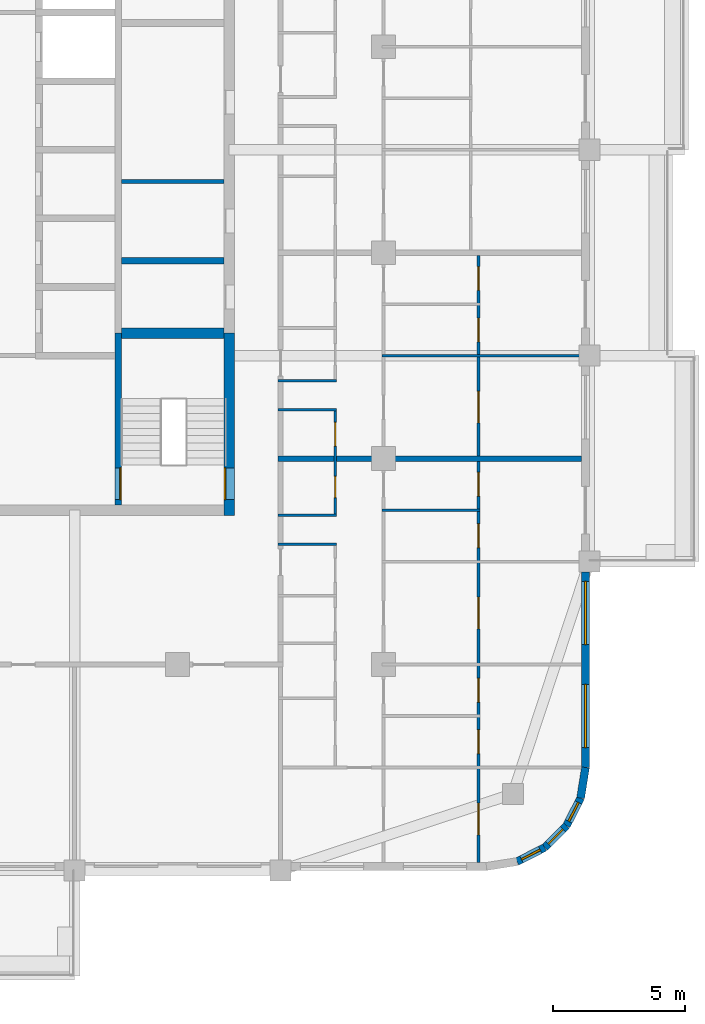
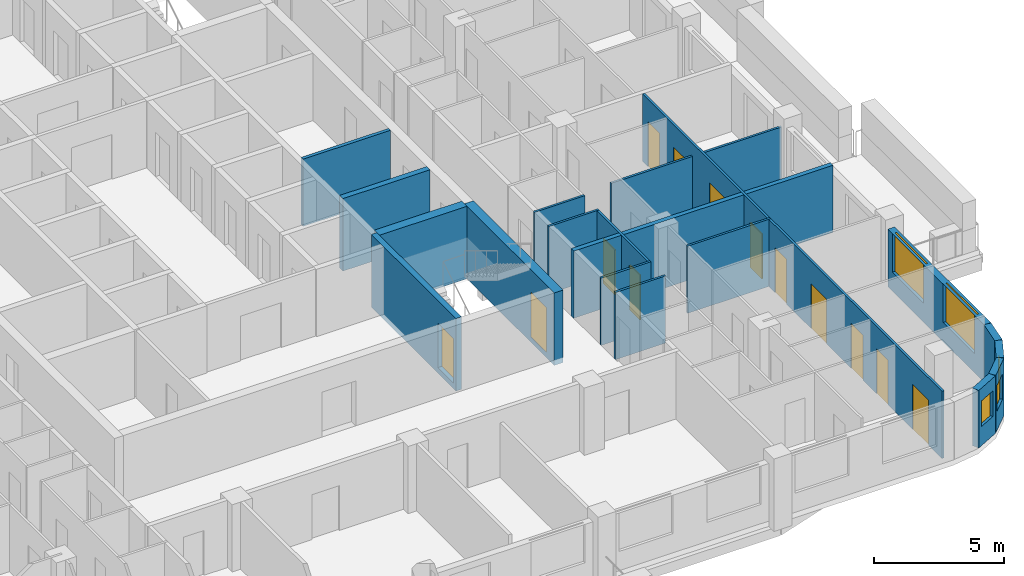
# One storey, part 6 of 16: 19 walls, 13 doors, 5 windows, 18 openings.
"""IFC4 building model written with IfcOpenShell, lengths in metres."""

from ifc_helpers import new_model, si_unit, direction, frame, frame_2d, origin, place, context, subcontext, project, spatial, rectangle, extrude, material, layer, layer_set, type_object, element, fill, save


model = new_model("IFC4")

# Units and contexts
model_context = context("Model", 3, precision=1e-05, world=origin(), true_north=direction((0.0, 1.0)))
body_context = subcontext(model_context, "Body", "Model", "MODEL_VIEW")
ifc_project = project(units=[si_unit("LENGTHUNIT", "METRE"), si_unit("AREAUNIT", "SQUARE_METRE"), si_unit("VOLUMEUNIT", "CUBIC_METRE"), si_unit("PLANEANGLEUNIT", "RADIAN"), si_unit("MASSUNIT", "GRAM", prefix="KILO")], contexts=[model_context])

# Site, building, storey
site_placement = place(None, origin())
site = spatial("IfcSite", under=ifc_project, at=site_placement, CompositionType="ELEMENT")
building_placement = place(site_placement, origin())
building = spatial("IfcBuilding", under=site, at=building_placement, Name="Ludao Terraces", CompositionType="ELEMENT")
storey_placement = place(building_placement, frame((0.0, 0.0, 214.300048828125)))
storey = spatial("IfcBuildingStorey", under=building, at=storey_placement, Name="L58", CompositionType="ELEMENT", Elevation=214.300048828125)

# Wall, opening, door
ifc_material_1 = material(Name="Concrete C50", Category="concrete")
ifc_layer_1 = layer(ifc_material_1, 0.39990234375)
ifc_layer_set_1 = layer_set([ifc_layer_1], Name="Core wall 400 C50")
wall_type_1 = type_object("IfcWallType", Name="Core wall 400 C50", PredefinedType="SOLIDWALL", material=ifc_layer_set_1)
wall_1_placement = place(storey_placement, frame((94.75, 55.050048828125, -0.25), z_axis=(0.0, 0.0, 1.0), x_axis=(0.0, 1.0, 0.0)))
wall_1 = element("IfcWall", 1, at=wall_1_placement, inside=storey, type_object=wall_type_1, Name="Core wall L58 outer-E-S3", PredefinedType="SOLIDWALL", context=body_context, shape_type="SweptSolid", body=[
    extrude(rectangle(XDim=6.89990234375, YDim=0.39990234375, at=frame_2d((3.449951171875, 0.0))), origin(), (0.0, 0.0, 1.0), 3.39990234375),
])
opening_1_placement = place(wall_1_placement, frame((0.60009765625, 0.0, 0.25)))
opening_1 = element("IfcOpeningElement", 2, at=opening_1_placement, cuts=wall_1, Name="Opening R21-039", PredefinedType="OPENING", context=body_context, shape_type="SweptSolid", body=[
    extrude(rectangle(XDim=1.199951171875, YDim=2.10009765625, at=frame_2d((0.60009765625, 1.050048828125))), frame((0.0, 0.2099609375, 0.0), z_axis=(0.0, -1.0, 0.0), x_axis=(1.0, 0.0, 0.0)), (0.0, 0.0, 1.0), 0.419921875),
])
ifc_material_2 = material(Name="Steel Q235", Category="steel")
door_type_1 = type_object("IfcDoorType", Name="INT Stair door 1200", OperationType="DOUBLE_DOOR_SINGLE_SWING", PredefinedType="DOOR", material=ifc_material_2)
door_1_placement = place(opening_1_placement, origin())
door_1 = element("IfcDoor", 3, at=door_1_placement, inside=storey, type_object=door_type_1, Name="DOOR 039", OperationType="DOUBLE_DOOR_SINGLE_SWING", OverallHeight=2.10009765625, OverallWidth=1.199951171875, PredefinedType="DOOR", context=body_context, shape_type="SweptSolid", body=[
    extrude(rectangle(XDim=1.199951171875, YDim=2.10009765625, at=frame_2d((0.60009765625, 1.050048828125))), frame((0.0, 0.18505859375, 0.0), z_axis=(0.0, -1.0, 0.0), x_axis=(1.0, 0.0, 0.0)), (0.0, 0.0, 1.0), 0.050048828125),
])
fill(opening_1, door_1)

# Wall, openings, windows
ifc_material_3 = material(Name="Granite cladding", Category="masonry")
ifc_layer_2 = layer(ifc_material_3, 0.0400390625, Category="stone")
ifc_material_4 = material(Name="Mineral wool")
ifc_layer_3 = layer(ifc_material_4, 0.06005859375)
ifc_material_5 = material(Name="Concrete C40", Category="concrete")
ifc_layer_4 = layer(ifc_material_5, 0.199951171875, Category="concrete")
ifc_layer_set_2 = layer_set([ifc_layer_2, ifc_layer_3, ifc_layer_4], Name="ENV Stone-clad wall 300")
wall_type_2 = type_object("IfcWallType", Name="ENV Stone-clad wall 300", PredefinedType="SOLIDWALL", material=ifc_layer_set_2)
wall_2_placement = place(storey_placement, frame((108.25, 45.5, 0.0), z_axis=(0.0, 0.0, 1.0), x_axis=(0.0, 1.0, 0.0)))
wall_2 = element("IfcWall", 4, at=wall_2_placement, inside=storey, type_object=wall_type_2, Name="EW-L58-E1", PredefinedType="SOLIDWALL", context=body_context, shape_type="SweptSolid", body=[
    extrude(rectangle(XDim=7.39990234375, YDim=0.300048828125, at=frame_2d((3.699951171875, 0.0))), origin(), (0.0, 0.0, 1.0), 2.699951171875),
])
opening_2_placement = place(wall_2_placement, frame((0.75, 0.0, 0.89990234375)))
opening_2 = element("IfcOpeningElement", 5, at=opening_2_placement, cuts=wall_2, Name="Opening W1", PredefinedType="OPENING", context=body_context, shape_type="SweptSolid", body=[
    extrude(rectangle(XDim=2.39990234375, YDim=1.800048828125, at=frame_2d((1.199951171875, 0.89990234375))), frame((0.0, 0.16015625, 0.0), z_axis=(0.0, -1.0, 0.0), x_axis=(1.0, 0.0, 0.0)), (0.0, 0.0, 1.0), 0.320068359375),
])
opening_3_placement = place(wall_2_placement, frame((4.64990234375, 0.0, 0.89990234375)))
opening_3 = element("IfcOpeningElement", 6, at=opening_3_placement, cuts=wall_2, Name="Opening W1", PredefinedType="OPENING", context=body_context, shape_type="SweptSolid", body=[
    extrude(rectangle(XDim=2.39990234375, YDim=1.800048828125, at=frame_2d((1.199951171875, 0.89990234375))), frame((0.0, 0.16015625, 0.0), z_axis=(0.0, -1.0, 0.0), x_axis=(1.0, 0.0, 0.0)), (0.0, 0.0, 1.0), 0.320068359375),
])
ifc_material_6 = material(Name="Clear glass in aluminium frame", Category="aluminium")
ifc_layer_5 = layer(ifc_material_6, 0.06005859375)
ifc_layer_set_3 = layer_set([ifc_layer_5], Name="ENV Window W1 2400x1800")
window_type_1 = type_object("IfcWindowType", Name="ENV Window W1 2400x1800", PartitioningType="DOUBLE_PANEL_VERTICAL", PredefinedType="WINDOW", material=ifc_layer_set_3)
window_1_placement = place(opening_2_placement, origin())
window_1 = element("IfcWindow", 7, at=window_1_placement, inside=storey, type_object=window_type_1, Name="W-L58-E1-1", OverallHeight=1.800048828125, OverallWidth=2.39990234375, PartitioningType="DOUBLE_PANEL_VERTICAL", PredefinedType="WINDOW", context=body_context, shape_type="SweptSolid", body=[
    extrude(rectangle(XDim=2.39990234375, YDim=1.800048828125, at=frame_2d((1.199951171875, 0.89990234375))), frame((0.0, 0.030029296875, 0.0), z_axis=(0.0, -1.0, 0.0), x_axis=(1.0, 0.0, 0.0)), (0.0, 0.0, 1.0), 0.06005859375),
])
fill(opening_2, window_1)
window_2_placement = place(opening_3_placement, origin())
window_2 = element("IfcWindow", 8, at=window_2_placement, inside=storey, type_object=window_type_1, Name="W-L58-E1-2", OverallHeight=1.800048828125, OverallWidth=2.39990234375, PartitioningType="DOUBLE_PANEL_VERTICAL", PredefinedType="WINDOW", context=body_context, shape_type="SweptSolid", body=[
    extrude(rectangle(XDim=2.39990234375, YDim=1.800048828125, at=frame_2d((1.199951171875, 0.89990234375))), frame((0.0, 0.030029296875, 0.0), z_axis=(0.0, -1.0, 0.0), x_axis=(1.0, 0.0, 0.0)), (0.0, 0.0, 1.0), 0.06005859375),
])
fill(opening_3, window_2)

# Wall, opening, window
wall_3_placement = place(storey_placement, frame((105.65869140625, 41.93359375, 0.0), z_axis=(0.0, 0.0, 1.0), x_axis=(0.890988677504, 0.454025524128, 0.0)))
wall_3 = element("IfcWall", 9, at=wall_3_placement, inside=storey, type_object=wall_type_2, Name="EW-L58-SE2", PredefinedType="SOLIDWALL", context=body_context, shape_type="SweptSolid", body=[
    extrude(rectangle(XDim=1.17333984375, YDim=0.300048828125, at=frame_2d((0.586669921875, 0.0))), origin(), (0.0, 0.0, 1.0), 2.699951171875),
])
opening_4_placement = place(wall_3_placement, frame((0.1865234375, 0.0, 0.89990234375)))
opening_4 = element("IfcOpeningElement", 10, at=opening_4_placement, cuts=wall_3, Name="Opening W3", PredefinedType="OPENING", context=body_context, shape_type="SweptSolid", body=[
    extrude(rectangle(XDim=0.800048828125, YDim=1.199951171875, at=frame_2d((0.39990234375, 0.60009765625))), frame((0.0, 0.16015625, 0.0), z_axis=(0.0, -1.0, 0.0), x_axis=(1.0, 0.0, 0.0)), (0.0, 0.0, 1.0), 0.320068359375),
])
ifc_layer_6 = layer(ifc_material_6, 0.06005859375)
ifc_layer_set_4 = layer_set([ifc_layer_6], Name="ENV Window W3 800x1200")
window_type_2 = type_object("IfcWindowType", Name="ENV Window W3 800x1200", PartitioningType="SINGLE_PANEL", PredefinedType="WINDOW", material=ifc_layer_set_4)
window_3_placement = place(opening_4_placement, origin())
window_3 = element("IfcWindow", 11, at=window_3_placement, inside=storey, type_object=window_type_2, Name="W-L58-SE2", OverallHeight=1.199951171875, OverallWidth=0.800048828125, PartitioningType="SINGLE_PANEL", PredefinedType="WINDOW", context=body_context, shape_type="SweptSolid", body=[
    extrude(rectangle(XDim=0.800048828125, YDim=1.199951171875, at=frame_2d((0.39990234375, 0.60009765625))), frame((0.0, 0.030029296875, 0.0), z_axis=(0.0, -1.0, 0.0), x_axis=(1.0, 0.0, 0.0)), (0.0, 0.0, 1.0), 0.06005859375),
])
fill(opening_4, window_3)

wall_4_placement = place(storey_placement, frame((106.7041015625, 42.46630859375, 0.0), z_axis=(0.0, 0.0, 1.0), x_axis=(0.707106781187, 0.707106781187, 0.0)))
wall_4 = element("IfcWall", 12, at=wall_4_placement, inside=storey, type_object=wall_type_2, Name="EW-L58-SE3", PredefinedType="SOLIDWALL", context=body_context, shape_type="SweptSolid", body=[
    extrude(rectangle(XDim=1.173095703125, YDim=0.300048828125, at=frame_2d((0.58642578125, 0.0))), origin(), (0.0, 0.0, 1.0), 2.699951171875),
])
opening_5_placement = place(wall_4_placement, frame((0.1865234375, 0.0, 0.89990234375)))
opening_5 = element("IfcOpeningElement", 13, at=opening_5_placement, cuts=wall_4, Name="Opening W3", PredefinedType="OPENING", context=body_context, shape_type="SweptSolid", body=[
    extrude(rectangle(XDim=0.800048828125, YDim=1.199951171875, at=frame_2d((0.39990234375, 0.60009765625))), frame((0.0, 0.16015625, 0.0), z_axis=(0.0, -1.0, 0.0), x_axis=(1.0, 0.0, 0.0)), (0.0, 0.0, 1.0), 0.320068359375),
])
window_4_placement = place(opening_5_placement, origin())
window_4 = element("IfcWindow", 14, at=window_4_placement, inside=storey, type_object=window_type_2, Name="W-L58-SE3", OverallHeight=1.199951171875, OverallWidth=0.800048828125, PartitioningType="SINGLE_PANEL", PredefinedType="WINDOW", context=body_context, shape_type="SweptSolid", body=[
    extrude(rectangle(XDim=0.800048828125, YDim=1.199951171875, at=frame_2d((0.39990234375, 0.60009765625))), frame((0.0, 0.030029296875, 0.0), z_axis=(0.0, -1.0, 0.0), x_axis=(1.0, 0.0, 0.0)), (0.0, 0.0, 1.0), 0.06005859375),
])
fill(opening_5, window_4)

wall_5_placement = place(storey_placement, frame((107.53369140625, 43.2958984375, 0.0), z_axis=(0.0, 0.0, 1.0), x_axis=(0.454025524128, 0.890988677504, 0.0)))
wall_5 = element("IfcWall", 15, at=wall_5_placement, inside=storey, type_object=wall_type_2, Name="EW-L58-SE4", PredefinedType="SOLIDWALL", context=body_context, shape_type="SweptSolid", body=[
    extrude(rectangle(XDim=1.17333984375, YDim=0.300048828125, at=frame_2d((0.586669921875, 0.0))), origin(), (0.0, 0.0, 1.0), 2.699951171875),
])
opening_6_placement = place(wall_5_placement, frame((0.1865234375, 0.0, 0.89990234375)))
opening_6 = element("IfcOpeningElement", 16, at=opening_6_placement, cuts=wall_5, Name="Opening W3", PredefinedType="OPENING", context=body_context, shape_type="SweptSolid", body=[
    extrude(rectangle(XDim=0.800048828125, YDim=1.199951171875, at=frame_2d((0.39990234375, 0.60009765625))), frame((0.0, 0.16015625, 0.0), z_axis=(0.0, -1.0, 0.0), x_axis=(1.0, 0.0, 0.0)), (0.0, 0.0, 1.0), 0.320068359375),
])
window_5_placement = place(opening_6_placement, origin())
window_5 = element("IfcWindow", 17, at=window_5_placement, inside=storey, type_object=window_type_2, Name="W-L58-SE4", OverallHeight=1.199951171875, OverallWidth=0.800048828125, PartitioningType="SINGLE_PANEL", PredefinedType="WINDOW", context=body_context, shape_type="SweptSolid", body=[
    extrude(rectangle(XDim=0.800048828125, YDim=1.199951171875, at=frame_2d((0.39990234375, 0.60009765625))), frame((0.0, 0.030029296875, 0.0), z_axis=(0.0, -1.0, 0.0), x_axis=(1.0, 0.0, 0.0)), (0.0, 0.0, 1.0), 0.06005859375),
])
fill(opening_6, window_5)

# Walls
wall_6_placement = place(storey_placement, frame((108.06640625, 44.34130859375, 0.0), z_axis=(0.0, 0.0, 1.0), x_axis=(0.156496880861, 0.987678452879, 0.0)))
element("IfcWall", 18, at=wall_6_placement, inside=storey, type_object=wall_type_2, Name="EW-L58-SE5", PredefinedType="SOLIDWALL", context=body_context, shape_type="SweptSolid", body=[
    extrude(rectangle(XDim=1.173095703125, YDim=0.300048828125, at=frame_2d((0.58642578125, 0.0))), origin(), (0.0, 0.0, 1.0), 2.699951171875),
])
ifc_material_7 = material(Name="Fire-rated gypsum plasterboard", Category="gypsum")
ifc_layer_7 = layer(ifc_material_7, 0.012451171875, Category="gypsum")
ifc_layer_8 = layer(ifc_material_4, 0.10009765625, Name="insulation")
ifc_layer_9 = layer(ifc_material_2, 0.02490234375, Name="stud")
ifc_layer_10 = layer(ifc_material_7, 0.012451171875, Category="gypsum")
ifc_layer_set_5 = layer_set([ifc_layer_7, ifc_layer_8, ifc_layer_9, ifc_layer_10], Name="INT Core partition 150")
wall_type_3 = type_object("IfcWallType", Name="INT Core partition 150", PredefinedType="PARTITIONING", material=ifc_layer_set_5)
wall_7_placement = place(storey_placement, frame((90.675048828125, 67.699951171875, 0.0), z_axis=(0.0, 0.0, 1.0), x_axis=(1.0, 0.0, 0.0)))
element("IfcWall", 19, at=wall_7_placement, inside=storey, type_object=wall_type_3, Name="PW-L58-PW035", PredefinedType="PARTITIONING", context=body_context, shape_type="SweptSolid", body=[
    extrude(rectangle(XDim=3.875, YDim=0.14990234375, at=frame_2d((1.9375, 0.0))), origin(), (0.0, 0.0, 1.0), 3.14990234375),
])
ifc_material_8 = material(Name="Gypsum plasterboard", Category="gypsum")
ifc_layer_11 = layer(ifc_material_8, 0.012451171875, Category="gypsum")
ifc_layer_12 = layer(ifc_material_4, 0.06005859375, Name="insulation")
ifc_layer_13 = layer(ifc_material_2, 0.014892578125, Name="stud")
ifc_layer_14 = layer(ifc_material_8, 0.012451171875, Category="gypsum")
ifc_layer_set_6 = layer_set([ifc_layer_11, ifc_layer_12, ifc_layer_13, ifc_layer_14], Name="INT Partition 100")
wall_type_4 = type_object("IfcWallType", Name="INT Partition 100", PredefinedType="PARTITIONING", material=ifc_layer_set_6)
for number, where, z_axis, x_axis, name in (
    (20, (96.60009765625, 53.949951171875, 0.0), (0.0, 0.0, 1.0), (1.0, 0.0, 0.0), "PW-L58-PW014"),
    (21, (96.60009765625, 55.050048828125, 0.0), (0.0, 0.0, 1.0), (1.0, 0.0, 0.0), "PW-L58-PW016"),
):
    element("IfcWall", number, at=place(storey_placement, frame(where, z_axis=z_axis, x_axis=x_axis)), inside=storey, type_object=wall_type_4, Name=name, PredefinedType="PARTITIONING", context=body_context, shape_type="SweptSolid", body=[
        extrude(rectangle(XDim=2.219970703125, YDim=0.10009765625, at=frame_2d((1.10986328125, 0.0))), origin(), (0.0, 0.0, 1.0), 3.14990234375),
    ])
wall_8_placement = place(storey_placement, frame((100.550048828125, 55.25, 0.0), z_axis=(0.0, 0.0, 1.0), x_axis=(1.0, 0.0, 0.0)))
element("IfcWall", 22, at=wall_8_placement, inside=storey, type_object=wall_type_4, Name="PW-L58-PW018", PredefinedType="PARTITIONING", context=body_context, shape_type="SweptSolid", body=[
    extrude(rectangle(XDim=3.699951171875, YDim=0.10009765625, at=frame_2d((1.85009765625, 0.0))), origin(), (0.0, 0.0, 1.0), 3.14990234375),
])
for number, where, z_axis, x_axis, name in (
    (23, (96.60009765625, 59.050048828125, 0.0), (0.0, 0.0, 1.0), (1.0, 0.0, 0.0), "PW-L58-PW023"),
    (24, (96.60009765625, 60.14990234375, 0.0), (0.0, 0.0, 1.0), (1.0, 0.0, 0.0), "PW-L58-PW025"),
):
    element("IfcWall", number, at=place(storey_placement, frame(where, z_axis=z_axis, x_axis=x_axis)), inside=storey, type_object=wall_type_4, Name=name, PredefinedType="PARTITIONING", context=body_context, shape_type="SweptSolid", body=[
        extrude(rectangle(XDim=2.219970703125, YDim=0.10009765625, at=frame_2d((1.10986328125, 0.0))), origin(), (0.0, 0.0, 1.0), 3.14990234375),
    ])
wall_9_placement = place(storey_placement, frame((100.550048828125, 61.10009765625, 0.0), z_axis=(0.0, 0.0, 1.0), x_axis=(1.0, 0.0, 0.0)))
element("IfcWall", 25, at=wall_9_placement, inside=storey, type_object=wall_type_4, Name="PW-L58-PW028", PredefinedType="PARTITIONING", context=body_context, shape_type="SweptSolid", body=[
    extrude(rectangle(XDim=7.550048828125, YDim=0.10009765625, at=frame_2d((3.77490234375, 0.0))), origin(), (0.0, 0.0, 1.0), 2.5498046875),
])

# Wall, openings, doors
wall_10_placement = place(storey_placement, frame((98.77001953125, 55.10009765625, 0.0), z_axis=(0.0, 0.0, 1.0), x_axis=(0.0, 1.0, 0.0)))
wall_10 = element("IfcWall", 26, at=wall_10_placement, inside=storey, type_object=wall_type_4, Name="PW-L58-PW093", PredefinedType="PARTITIONING", context=body_context, shape_type="SweptSolid", body=[
    extrude(rectangle(XDim=3.89990234375, YDim=0.10009765625, at=frame_2d((1.949951171875, 0.0))), origin(), (0.0, 0.0, 1.0), 3.14990234375),
])
opening_7_placement = place(wall_10_placement, frame((0.625, 0.0, 0.0)))
opening_7 = element("IfcOpeningElement", 27, at=opening_7_placement, cuts=wall_10, Name="Opening R21-035", PredefinedType="OPENING", context=body_context, shape_type="SweptSolid", body=[
    extrude(rectangle(XDim=0.800048828125, YDim=2.10009765625, at=frame_2d((0.39990234375, 1.050048828125))), frame((0.0, 0.06005859375, 0.0), z_axis=(0.0, -1.0, 0.0), x_axis=(1.0, 0.0, 0.0)), (0.0, 0.0, 1.0), 0.1201171875),
])
opening_8_placement = place(wall_10_placement, frame((2.574951171875, 0.0, 0.0)))
opening_8 = element("IfcOpeningElement", 28, at=opening_8_placement, cuts=wall_10, Name="Opening R21-041", PredefinedType="OPENING", context=body_context, shape_type="SweptSolid", body=[
    extrude(rectangle(XDim=0.89990234375, YDim=2.10009765625, at=frame_2d((0.449951171875, 1.050048828125))), frame((0.0, 0.06005859375, 0.0), z_axis=(0.0, -1.0, 0.0), x_axis=(1.0, 0.0, 0.0)), (0.0, 0.0, 1.0), 0.1201171875),
])
ifc_material_9 = material(Name="Timber door leaf", Category="wood")
door_type_2 = type_object("IfcDoorType", Name="INT Bathroom door 900", OperationType="SINGLE_SWING_LEFT", PredefinedType="DOOR", material=ifc_material_9)
door_2_placement = place(opening_8_placement, origin())
door_2 = element("IfcDoor", 29, at=door_2_placement, inside=storey, type_object=door_type_2, Name="DOOR 041", OperationType="SINGLE_SWING_LEFT", OverallHeight=2.10009765625, OverallWidth=0.89990234375, PredefinedType="DOOR", context=body_context, shape_type="SweptSolid", body=[
    extrude(rectangle(XDim=0.89990234375, YDim=2.10009765625, at=frame_2d((0.449951171875, 1.050048828125))), frame((0.0, 0.02490234375, 0.0), z_axis=(0.0, -1.0, 0.0), x_axis=(1.0, 0.0, 0.0)), (0.0, 0.0, 1.0), 0.050048828125),
])
fill(opening_8, door_2)
door_type_3 = type_object("IfcDoorType", Name="INT Store door 800", OperationType="SINGLE_SWING_LEFT", PredefinedType="DOOR", material=ifc_material_9)
door_3_placement = place(opening_7_placement, origin())
door_3 = element("IfcDoor", 30, at=door_3_placement, inside=storey, type_object=door_type_3, Name="DOOR 035", OperationType="SINGLE_SWING_RIGHT", OverallHeight=2.10009765625, OverallWidth=0.800048828125, PredefinedType="DOOR", context=body_context, shape_type="SweptSolid", body=[
    extrude(rectangle(XDim=0.800048828125, YDim=2.10009765625, at=frame_2d((0.39990234375, 1.050048828125))), frame((0.0, 0.02490234375, 0.0), z_axis=(0.0, -1.0, 0.0), x_axis=(1.0, 0.0, 0.0)), (0.0, 0.0, 1.0), 0.050048828125),
])
fill(opening_7, door_3)

wall_11_placement = place(storey_placement, frame((104.199951171875, 41.900146484375, 0.0), z_axis=(0.0, 0.0, 1.0), x_axis=(0.0, 1.0, 0.0)))
wall_11 = element("IfcWall", 31, at=wall_11_placement, inside=storey, type_object=wall_type_4, Name="PW-L58-PW099", PredefinedType="PARTITIONING", context=body_context, shape_type="SweptSolid", body=[
    extrude(rectangle(XDim=23.0, YDim=0.10009765625, at=frame_2d((11.5, 0.0))), origin(), (0.0, 0.0, 1.0), 3.14990234375),
])
opening_9_placement = place(wall_11_placement, frame((1.050048828125, 0.0, 0.0)))
opening_9 = element("IfcOpeningElement", 32, at=opening_9_placement, cuts=wall_11, Name="Opening R21-004", PredefinedType="OPENING", context=body_context, shape_type="SweptSolid", body=[
    extrude(rectangle(XDim=1.199951171875, YDim=2.10009765625, at=frame_2d((0.60009765625, 1.050048828125))), frame((0.0, 0.06005859375, 0.0), z_axis=(0.0, -1.0, 0.0), x_axis=(1.0, 0.0, 0.0)), (0.0, 0.0, 1.0), 0.1201171875),
])
opening_10_placement = place(wall_11_placement, frame((4.125, 0.0, 0.0)))
opening_10 = element("IfcOpeningElement", 33, at=opening_10_placement, cuts=wall_11, Name="Opening R21-008", PredefinedType="OPENING", context=body_context, shape_type="SweptSolid", body=[
    extrude(rectangle(XDim=0.89990234375, YDim=2.10009765625, at=frame_2d((0.449951171875, 1.050048828125))), frame((0.0, 0.06005859375, 0.0), z_axis=(0.0, -1.0, 0.0), x_axis=(1.0, 0.0, 0.0)), (0.0, 0.0, 1.0), 0.1201171875),
])
opening_11_placement = place(wall_11_placement, frame((6.074951171875, 0.0, 0.0)))
opening_11 = element("IfcOpeningElement", 34, at=opening_11_placement, cuts=wall_11, Name="Opening R21-014", PredefinedType="OPENING", context=body_context, shape_type="SweptSolid", body=[
    extrude(rectangle(XDim=0.89990234375, YDim=2.10009765625, at=frame_2d((0.449951171875, 1.050048828125))), frame((0.0, 0.06005859375, 0.0), z_axis=(0.0, -1.0, 0.0), x_axis=(1.0, 0.0, 0.0)), (0.0, 0.0, 1.0), 0.1201171875),
])
opening_12_placement = place(wall_11_placement, frame((8.85009765625, 0.0, 0.0)))
opening_12 = element("IfcOpeningElement", 35, at=opening_12_placement, cuts=wall_11, Name="Opening R21-025", PredefinedType="OPENING", context=body_context, shape_type="SweptSolid", body=[
    extrude(rectangle(XDim=1.199951171875, YDim=2.10009765625, at=frame_2d((0.60009765625, 1.050048828125))), frame((0.0, 0.06005859375, 0.0), z_axis=(0.0, -1.0, 0.0), x_axis=(1.0, 0.0, 0.0)), (0.0, 0.0, 1.0), 0.1201171875),
])
opening_13_placement = place(wall_11_placement, frame((11.925048828125, 0.0, 0.0)))
opening_13 = element("IfcOpeningElement", 36, at=opening_13_placement, cuts=wall_11, Name="Opening R21-030", PredefinedType="OPENING", context=body_context, shape_type="SweptSolid", body=[
    extrude(rectangle(XDim=0.89990234375, YDim=2.10009765625, at=frame_2d((0.449951171875, 1.050048828125))), frame((0.0, 0.06005859375, 0.0), z_axis=(0.0, -1.0, 0.0), x_axis=(1.0, 0.0, 0.0)), (0.0, 0.0, 1.0), 0.1201171875),
])
opening_14_placement = place(wall_11_placement, frame((13.875, 0.0, 0.0)))
opening_14 = element("IfcOpeningElement", 37, at=opening_14_placement, cuts=wall_11, Name="Opening R21-037", PredefinedType="OPENING", context=body_context, shape_type="SweptSolid", body=[
    extrude(rectangle(XDim=0.89990234375, YDim=2.10009765625, at=frame_2d((0.449951171875, 1.050048828125))), frame((0.0, 0.06005859375, 0.0), z_axis=(0.0, -1.0, 0.0), x_axis=(1.0, 0.0, 0.0)), (0.0, 0.0, 1.0), 0.1201171875),
])
opening_15_placement = place(wall_11_placement, frame((16.64990234375, 0.0, 0.0)))
opening_15 = element("IfcOpeningElement", 38, at=opening_15_placement, cuts=wall_11, Name="Opening R21-045", PredefinedType="OPENING", context=body_context, shape_type="SweptSolid", body=[
    extrude(rectangle(XDim=1.199951171875, YDim=2.10009765625, at=frame_2d((0.60009765625, 1.050048828125))), frame((0.0, 0.06005859375, 0.0), z_axis=(0.0, -1.0, 0.0), x_axis=(1.0, 0.0, 0.0)), (0.0, 0.0, 1.0), 0.1201171875),
])
opening_16_placement = place(wall_11_placement, frame((19.72509765625, 0.0, 0.0)))
opening_16 = element("IfcOpeningElement", 39, at=opening_16_placement, cuts=wall_11, Name="Opening R21-052", PredefinedType="OPENING", context=body_context, shape_type="SweptSolid", body=[
    extrude(rectangle(XDim=0.89990234375, YDim=2.10009765625, at=frame_2d((0.449951171875, 1.050048828125))), frame((0.0, 0.06005859375, 0.0), z_axis=(0.0, -1.0, 0.0), x_axis=(1.0, 0.0, 0.0)), (0.0, 0.0, 1.0), 0.1201171875),
])
opening_17_placement = place(wall_11_placement, frame((21.675048828125, 0.0, 0.0)))
opening_17 = element("IfcOpeningElement", 40, at=opening_17_placement, cuts=wall_11, Name="Opening R21-062", PredefinedType="OPENING", context=body_context, shape_type="SweptSolid", body=[
    extrude(rectangle(XDim=0.89990234375, YDim=2.10009765625, at=frame_2d((0.449951171875, 1.050048828125))), frame((0.0, 0.06005859375, 0.0), z_axis=(0.0, -1.0, 0.0), x_axis=(1.0, 0.0, 0.0)), (0.0, 0.0, 1.0), 0.1201171875),
])
door_4_placement = place(opening_10_placement, origin())
door_4 = element("IfcDoor", 41, at=door_4_placement, inside=storey, type_object=door_type_2, Name="DOOR 008", OperationType="SINGLE_SWING_LEFT", OverallHeight=2.10009765625, OverallWidth=0.89990234375, PredefinedType="DOOR", context=body_context, shape_type="SweptSolid", body=[
    extrude(rectangle(XDim=0.89990234375, YDim=2.10009765625, at=frame_2d((0.449951171875, 1.050048828125))), frame((0.0, 0.02490234375, 0.0), z_axis=(0.0, -1.0, 0.0), x_axis=(1.0, 0.0, 0.0)), (0.0, 0.0, 1.0), 0.050048828125),
])
fill(opening_10, door_4)
door_5_placement = place(opening_13_placement, origin())
door_5 = element("IfcDoor", 42, at=door_5_placement, inside=storey, type_object=door_type_2, Name="DOOR 030", OperationType="SINGLE_SWING_LEFT", OverallHeight=2.10009765625, OverallWidth=0.89990234375, PredefinedType="DOOR", context=body_context, shape_type="SweptSolid", body=[
    extrude(rectangle(XDim=0.89990234375, YDim=2.10009765625, at=frame_2d((0.449951171875, 1.050048828125))), frame((0.0, 0.02490234375, 0.0), z_axis=(0.0, -1.0, 0.0), x_axis=(1.0, 0.0, 0.0)), (0.0, 0.0, 1.0), 0.050048828125),
])
fill(opening_13, door_5)
door_6_placement = place(opening_16_placement, origin())
door_6 = element("IfcDoor", 43, at=door_6_placement, inside=storey, type_object=door_type_2, Name="DOOR 052", OperationType="SINGLE_SWING_LEFT", OverallHeight=2.10009765625, OverallWidth=0.89990234375, PredefinedType="DOOR", context=body_context, shape_type="SweptSolid", body=[
    extrude(rectangle(XDim=0.89990234375, YDim=2.10009765625, at=frame_2d((0.449951171875, 1.050048828125))), frame((0.0, 0.02490234375, 0.0), z_axis=(0.0, -1.0, 0.0), x_axis=(1.0, 0.0, 0.0)), (0.0, 0.0, 1.0), 0.050048828125),
])
fill(opening_16, door_6)
door_type_4 = type_object("IfcDoorType", Name="INT Double door 1200", OperationType="DOUBLE_DOOR_SINGLE_SWING", PredefinedType="DOOR", material=ifc_material_9)
door_7_placement = place(opening_9_placement, origin())
door_7 = element("IfcDoor", 44, at=door_7_placement, inside=storey, type_object=door_type_4, Name="DOOR 004", OperationType="DOUBLE_DOOR_SINGLE_SWING", OverallHeight=2.10009765625, OverallWidth=1.199951171875, PredefinedType="DOOR", context=body_context, shape_type="SweptSolid", body=[
    extrude(rectangle(XDim=1.199951171875, YDim=2.10009765625, at=frame_2d((0.60009765625, 1.050048828125))), frame((0.0, 0.02490234375, 0.0), z_axis=(0.0, -1.0, 0.0), x_axis=(1.0, 0.0, 0.0)), (0.0, 0.0, 1.0), 0.050048828125),
])
fill(opening_9, door_7)
door_8_placement = place(opening_12_placement, origin())
door_8 = element("IfcDoor", 45, at=door_8_placement, inside=storey, type_object=door_type_4, Name="DOOR 025", OperationType="DOUBLE_DOOR_SINGLE_SWING", OverallHeight=2.10009765625, OverallWidth=1.199951171875, PredefinedType="DOOR", context=body_context, shape_type="SweptSolid", body=[
    extrude(rectangle(XDim=1.199951171875, YDim=2.10009765625, at=frame_2d((0.60009765625, 1.050048828125))), frame((0.0, 0.02490234375, 0.0), z_axis=(0.0, -1.0, 0.0), x_axis=(1.0, 0.0, 0.0)), (0.0, 0.0, 1.0), 0.050048828125),
])
fill(opening_12, door_8)
door_9_placement = place(opening_15_placement, origin())
door_9 = element("IfcDoor", 46, at=door_9_placement, inside=storey, type_object=door_type_4, Name="DOOR 045", OperationType="DOUBLE_DOOR_SINGLE_SWING", OverallHeight=2.10009765625, OverallWidth=1.199951171875, PredefinedType="DOOR", context=body_context, shape_type="SweptSolid", body=[
    extrude(rectangle(XDim=1.199951171875, YDim=2.10009765625, at=frame_2d((0.60009765625, 1.050048828125))), frame((0.0, 0.02490234375, 0.0), z_axis=(0.0, -1.0, 0.0), x_axis=(1.0, 0.0, 0.0)), (0.0, 0.0, 1.0), 0.050048828125),
])
fill(opening_15, door_9)
door_type_5 = type_object("IfcDoorType", Name="INT Room door 900", OperationType="SINGLE_SWING_LEFT", PredefinedType="DOOR", material=ifc_material_9)
door_10_placement = place(opening_11_placement, origin())
door_10 = element("IfcDoor", 47, at=door_10_placement, inside=storey, type_object=door_type_5, Name="DOOR 014", OperationType="SINGLE_SWING_RIGHT", OverallHeight=2.10009765625, OverallWidth=0.89990234375, PredefinedType="DOOR", context=body_context, shape_type="SweptSolid", body=[
    extrude(rectangle(XDim=0.89990234375, YDim=2.10009765625, at=frame_2d((0.449951171875, 1.050048828125))), frame((0.0, 0.02490234375, 0.0), z_axis=(0.0, -1.0, 0.0), x_axis=(1.0, 0.0, 0.0)), (0.0, 0.0, 1.0), 0.050048828125),
])
fill(opening_11, door_10)
door_11_placement = place(opening_14_placement, origin())
door_11 = element("IfcDoor", 48, at=door_11_placement, inside=storey, type_object=door_type_5, Name="DOOR 037", OperationType="SINGLE_SWING_RIGHT", OverallHeight=2.10009765625, OverallWidth=0.89990234375, PredefinedType="DOOR", context=body_context, shape_type="SweptSolid", body=[
    extrude(rectangle(XDim=0.89990234375, YDim=2.10009765625, at=frame_2d((0.449951171875, 1.050048828125))), frame((0.0, 0.02490234375, 0.0), z_axis=(0.0, -1.0, 0.0), x_axis=(1.0, 0.0, 0.0)), (0.0, 0.0, 1.0), 0.050048828125),
])
fill(opening_14, door_11)
door_12_placement = place(opening_17_placement, origin())
door_12 = element("IfcDoor", 49, at=door_12_placement, inside=storey, type_object=door_type_5, Name="DOOR 062", OperationType="SINGLE_SWING_RIGHT", OverallHeight=2.10009765625, OverallWidth=0.89990234375, PredefinedType="DOOR", context=body_context, shape_type="SweptSolid", body=[
    extrude(rectangle(XDim=0.89990234375, YDim=2.10009765625, at=frame_2d((0.449951171875, 1.050048828125))), frame((0.0, 0.02490234375, 0.0), z_axis=(0.0, -1.0, 0.0), x_axis=(1.0, 0.0, 0.0)), (0.0, 0.0, 1.0), 0.050048828125),
])
fill(opening_17, door_12)

# Wall
ifc_material_10 = material(Name="Autoclaved aerated concrete block B06 A3.5", Category="concrete")
ifc_layer_15 = layer(ifc_material_10, 0.199951171875)
ifc_layer_set_7 = layer_set([ifc_layer_15], Name="INT Party wall 200")
wall_type_5 = type_object("IfcWallType", Name="INT Party wall 200", PredefinedType="PARTITIONING", material=ifc_layer_set_7)
wall_12_placement = place(storey_placement, frame((96.60009765625, 57.199951171875, 0.0), z_axis=(0.0, 0.0, 1.0), x_axis=(1.0, 0.0, 0.0)))
element("IfcWall", 50, at=wall_12_placement, inside=storey, type_object=wall_type_5, Name="PW-L58-PW021", PredefinedType="PARTITIONING", context=body_context, shape_type="SweptSolid", body=[
    extrude(rectangle(XDim=11.5, YDim=0.199951171875, at=frame_2d((5.75, 0.0))), origin(), (0.0, 0.0, 1.0), 3.14990234375),
])

# Wall, opening, door
ifc_layer_16 = layer(ifc_material_1, 0.25)
ifc_layer_set_8 = layer_set([ifc_layer_16], Name="Shaft wall 250 C50")
wall_type_6 = type_object("IfcWallType", Name="Shaft wall 250 C50", PredefinedType="SOLIDWALL", material=ifc_layer_set_8)
wall_13_placement = place(storey_placement, frame((90.550048828125, 55.449951171875, -0.25), z_axis=(0.0, 0.0, 1.0), x_axis=(0.0, 1.0, 0.0)))
wall_13 = element("IfcWall", 51, at=wall_13_placement, inside=storey, type_object=wall_type_6, Name="Core wall L58 back-E-S3", PredefinedType="SOLIDWALL", context=body_context, shape_type="SweptSolid", body=[
    extrude(rectangle(XDim=6.5, YDim=0.25, at=frame_2d((3.25, 0.0))), origin(), (0.0, 0.0, 1.0), 3.39990234375),
])
opening_18_placement = place(wall_13_placement, frame((0.199951171875, 0.0, 0.25)))
opening_18 = element("IfcOpeningElement", 52, at=opening_18_placement, cuts=wall_13, Name="Opening R21-038", PredefinedType="OPENING", context=body_context, shape_type="SweptSolid", body=[
    extrude(rectangle(XDim=1.199951171875, YDim=2.10009765625, at=frame_2d((0.60009765625, 1.050048828125))), frame((0.0, 0.135009765625, 0.0), z_axis=(0.0, -1.0, 0.0), x_axis=(1.0, 0.0, 0.0)), (0.0, 0.0, 1.0), 0.27001953125),
])
door_13_placement = place(opening_18_placement, origin())
door_13 = element("IfcDoor", 53, at=door_13_placement, inside=storey, type_object=door_type_1, Name="DOOR 038", OperationType="DOUBLE_DOOR_SINGLE_SWING", OverallHeight=2.10009765625, OverallWidth=1.199951171875, PredefinedType="DOOR", context=body_context, shape_type="SweptSolid", body=[
    extrude(rectangle(XDim=1.199951171875, YDim=2.10009765625, at=frame_2d((0.60009765625, 1.050048828125))), frame((0.0, -0.06005859375, 0.0), z_axis=(0.0, -1.0, 0.0), x_axis=(1.0, 0.0, 0.0)), (0.0, 0.0, 1.0), 0.050048828125),
])
fill(opening_18, door_13)

# Walls
wall_14_placement = place(storey_placement, frame((90.675048828125, 64.699951171875, -0.25), z_axis=(0.0, 0.0, 1.0), x_axis=(1.0, 0.0, 0.0)))
element("IfcWall", 54, at=wall_14_placement, inside=storey, type_object=wall_type_6, Name="Core wall L58 riser-a-E", PredefinedType="SOLIDWALL", context=body_context, shape_type="SweptSolid", body=[
    extrude(rectangle(XDim=3.875, YDim=0.25, at=frame_2d((1.9375, 0.0))), origin(), (0.0, 0.0, 1.0), 3.39990234375),
])
ifc_layer_17 = layer(ifc_material_1, 0.39990234375)
ifc_layer_set_9 = layer_set([ifc_layer_17], Name="Shaft wall 400 C50")
wall_type_7 = type_object("IfcWallType", Name="Shaft wall 400 C50", PredefinedType="SOLIDWALL", material=ifc_layer_set_9)
wall_15_placement = place(storey_placement, frame((90.675048828125, 61.949951171875, -0.25), z_axis=(0.0, 0.0, 1.0), x_axis=(1.0, 0.0, 0.0)))
element("IfcWall", 55, at=wall_15_placement, inside=storey, type_object=wall_type_7, Name="Core wall L58 hall-E", PredefinedType="SOLIDWALL", context=body_context, shape_type="SweptSolid", body=[
    extrude(rectangle(XDim=3.875, YDim=0.39990234375, at=frame_2d((1.9375, 0.0))), origin(), (0.0, 0.0, 1.0), 3.39990234375),
])

save(model, "model.ifc")
